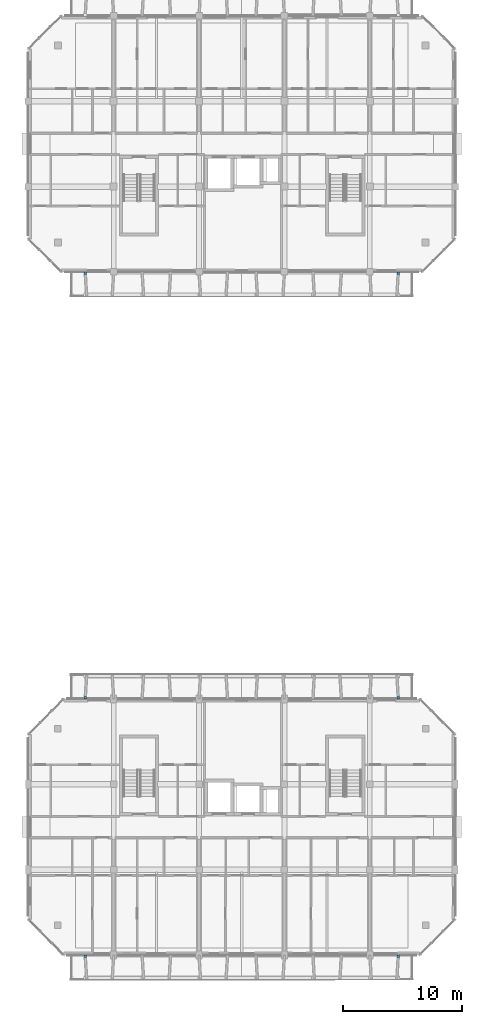
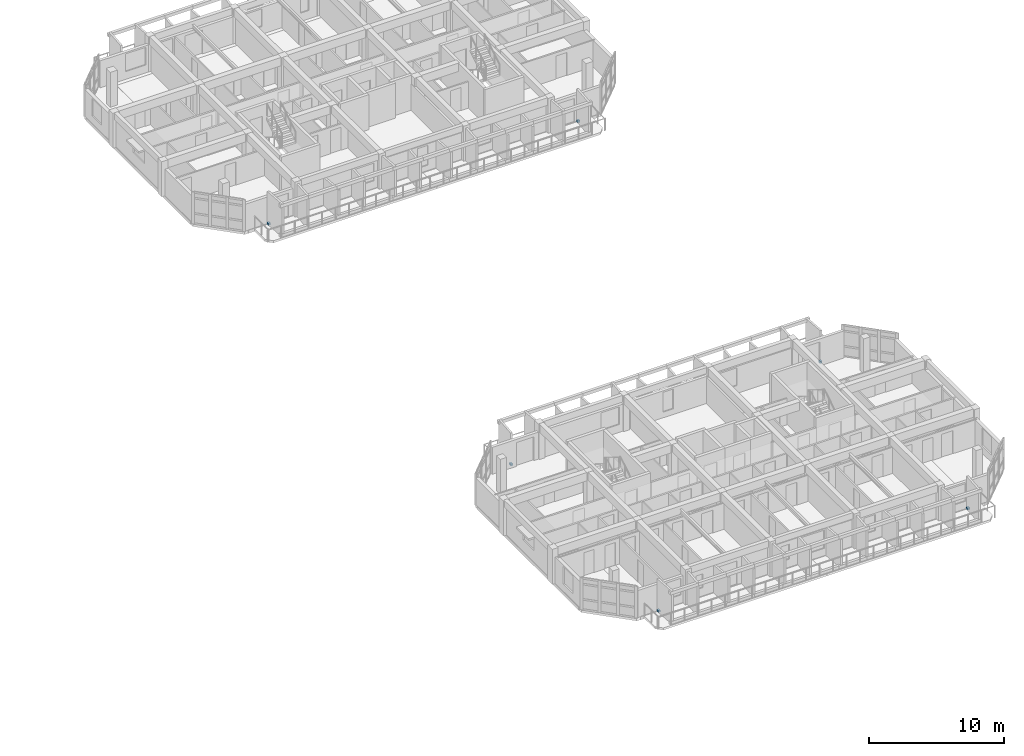
# One storey, part 31 of 43: 6 discrete accessories.
"""IFC4 building model written with IfcOpenShell, lengths in metres."""

from ifc_helpers import new_model, si_unit, direction, frame, origin, origin_2d, place, context, subcontext, project, spatial, rectangle, extrude, material, type_object, element, save


model = new_model("IFC4")

# Units and contexts
model_context = context("Model", 3, precision=1e-05, world=origin(), true_north=direction((0.0, 1.0)))
body_context = subcontext(model_context, "Body", "Model", "MODEL_VIEW")
ifc_project = project(units=[si_unit("LENGTHUNIT", "METRE"), si_unit("AREAUNIT", "SQUARE_METRE"), si_unit("VOLUMEUNIT", "CUBIC_METRE"), si_unit("PLANEANGLEUNIT", "RADIAN"), si_unit("MASSUNIT", "GRAM", prefix="KILO")], contexts=[model_context])

# Site, building, storey
site_placement = place(None, origin())
site = spatial("IfcSite", under=ifc_project, at=site_placement, CompositionType="ELEMENT")
building_placement = place(site_placement, origin())
building = spatial("IfcBuilding", under=site, at=building_placement, Name="Ochrevale Crest", CompositionType="ELEMENT")
storey_placement = place(building_placement, frame((0.0, 0.0, 15.0)))
storey = spatial("IfcBuildingStorey", under=building, at=storey_placement, Name="L04", CompositionType="ELEMENT", Elevation=15.0)

# Discrete accessories
ifc_material = material(Name="Galvanised steel", Category="steel")
discrete_accessory_type = type_object("IfcDiscreteAccessoryType", Name="ACC-BRK-HC", PredefinedType="BRACKET", material=ifc_material)
for number, where, z_axis, x_axis, name in (
    (1, (134.39990234375, 14.300048828125, 0.0), (0.0, 0.0, 1.0), (1.0, 0.0, 0.0), "Block C L04 precast loggia corbel bracket"),
    (2, (160.800048828125, 14.300048828125, 0.0), (0.0, 0.0, 1.0), (1.0, 0.0, 0.0), "Block C L04 precast loggia corbel bracket"),
    (3, (134.39990234375, 36.10009765625, 0.0), (0.0, 0.0, 1.0), (1.0, 0.0, 0.0), "Block C L04 precast loggia corbel bracket"),
    (4, (160.800048828125, 36.10009765625, 0.0), (0.0, 0.0, 1.0), (1.0, 0.0, 0.0), "Block C L04 precast loggia corbel bracket"),
    (5, (134.39990234375, 71.89990234375, 0.0), (0.0, 0.0, 1.0), (1.0, 0.0, 0.0), "Block D L04 precast loggia corbel bracket"),
    (6, (160.800048828125, 71.89990234375, 0.0), (0.0, 0.0, 1.0), (1.0, 0.0, 0.0), "Block D L04 precast loggia corbel bracket"),
):
    element("IfcDiscreteAccessory", number, at=place(storey_placement, frame(where, z_axis=z_axis, x_axis=x_axis)), inside=storey, type_object=discrete_accessory_type, Name=name, PredefinedType="BRACKET", context=body_context, shape_type="SweptSolid", body=[
        extrude(rectangle(XDim=0.179931640625, YDim=0.219970703125, at=origin_2d()), origin(), (0.0, 0.0, 1.0), 0.179931640625),
    ])

save(model, "model.ifc")
